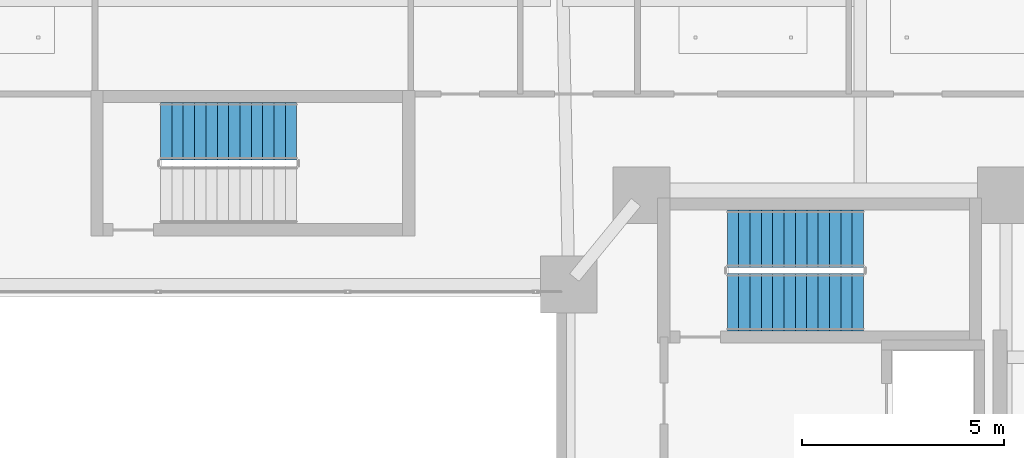
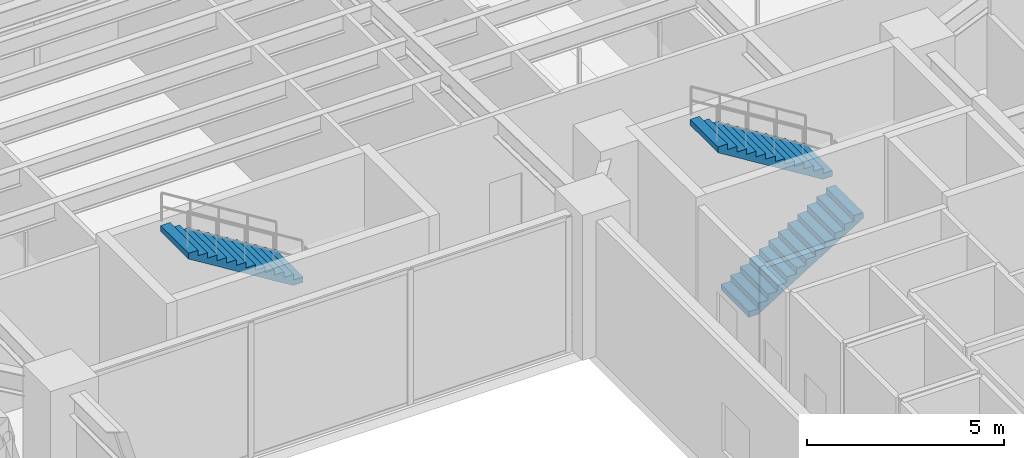
# One storey, part 33 of 39: 3 stair flights, 2 elements without a shape of their own.
"""IFC4 building model written with IfcOpenShell, lengths in metres."""

from ifc_helpers import new_model, si_unit, direction, frame, origin, place, context, subcontext, project, spatial, polyline, outline, extrude, material, type_object, element, aggregate, save


model = new_model("IFC4")

# Units and contexts
model_context = context("Model", 3, precision=1e-05, world=origin(), true_north=direction((0.0, 1.0)))
body_context = subcontext(model_context, "Body", "Model", "MODEL_VIEW")
ifc_project = project(units=[si_unit("LENGTHUNIT", "METRE"), si_unit("AREAUNIT", "SQUARE_METRE"), si_unit("VOLUMEUNIT", "CUBIC_METRE"), si_unit("PLANEANGLEUNIT", "RADIAN"), si_unit("MASSUNIT", "GRAM", prefix="KILO")], contexts=[model_context])

# Site, building, storey
site_placement = place(None, origin())
site = spatial("IfcSite", under=ifc_project, at=site_placement, CompositionType="ELEMENT")
building_placement = place(site_placement, origin())
building = spatial("IfcBuilding", under=site, at=building_placement, Name="Tarnavaz Court Tower", CompositionType="ELEMENT")
storey_placement = place(building_placement, frame((0.0, 0.0, 68.699951171875)))
storey = spatial("IfcBuildingStorey", under=building, at=storey_placement, Name="L18", CompositionType="ELEMENT", Elevation=68.699951171875)

# Stair, stair flights
ifc_material = material(Name="Concrete C40/50", Category="concrete")
stair_type = type_object("IfcStairType", Name="ST-TWR-26R", PredefinedType="HALF_TURN_STAIR", material=ifc_material)
stair_1_placement = place(storey_placement, origin())
stair_1 = element("IfcStair", 1, at=stair_1_placement, inside=storey, type_object=stair_type, Name="L18 East Core Pressurized Exit Stair ST-E1", PredefinedType="HALF_TURN_STAIR")
stair_flight_type = type_object("IfcStairFlightType", Name="SFL-RC-26R", PredefinedType="STRAIGHT", material=ifc_material)
stair_flight_1_placement = place(storey_placement, frame((11.719970703125, 7.360107421875, 0.0), z_axis=(0.0, 0.0, 1.0), x_axis=(1.0, 0.0, 0.0)))
stair_flight_1 = element("IfcStairFlight", 2, at=stair_flight_1_placement, type_object=stair_flight_type, Name="ST-E1 flight 1", NumberOfRisers=13, NumberOfTreads=12, PredefinedType="STRAIGHT", RiserHeight=0.173076923, TreadLength=0.28, context=body_context, shape_type="SweptSolid", body=[
    extrude(outline(polyline([(0.0, 0.0), (0.0, 0.173095703125), (0.280029296875, 0.173095703125), (0.280029296875, 0.34619140625), (0.56005859375, 0.34619140625), (0.56005859375, 0.519287109375), (0.840087890625, 0.519287109375), (0.840087890625, 0.6923828125), (1.1201171875, 0.6923828125), (1.1201171875, 0.865478515625), (1.39990234375, 0.865478515625), (1.39990234375, 1.03857421875), (1.679931640625, 1.03857421875), (1.679931640625, 1.21142578125), (1.9599609375, 1.21142578125), (1.9599609375, 1.384521484375), (2.239990234375, 1.384521484375), (2.239990234375, 1.5576171875), (2.52001953125, 1.5576171875), (2.52001953125, 1.730712890625), (2.800048828125, 1.730712890625), (2.800048828125, 1.90380859375), (3.080078125, 1.90380859375), (3.080078125, 2.076904296875), (3.360107421875, 2.076904296875), (3.360107421875, 2.25), (3.360107421875, 1.900634765625), (0.28515625, 0.0), (0.0, 0.0)])), frame((0.0, 0.7099609375, 0.0), z_axis=(0.0, -1.0, 0.0), x_axis=(1.0, 0.0, 0.0)), (0.0, 0.0, 1.0), 1.419921875),
])
stair_flight_2_placement = place(storey_placement, frame((15.080078125, 8.929931640625, 2.25), z_axis=(0.0, 0.0, 1.0), x_axis=(-1.0, 0.0, 0.0)))
stair_flight_2 = element("IfcStairFlight", 3, at=stair_flight_2_placement, type_object=stair_flight_type, Name="ST-E1 flight 2", NumberOfRisers=13, NumberOfTreads=12, PredefinedType="STRAIGHT", RiserHeight=0.173076923, TreadLength=0.28, context=body_context, shape_type="SweptSolid", body=[
    extrude(outline(polyline([(0.0, 0.0), (0.0, 0.173095703125), (0.280029296875, 0.173095703125), (0.280029296875, 0.34619140625), (0.56005859375, 0.34619140625), (0.56005859375, 0.519287109375), (0.840087890625, 0.519287109375), (0.840087890625, 0.6923828125), (1.1201171875, 0.6923828125), (1.1201171875, 0.865478515625), (1.39990234375, 0.865478515625), (1.39990234375, 1.03857421875), (1.679931640625, 1.03857421875), (1.679931640625, 1.21142578125), (1.9599609375, 1.21142578125), (1.9599609375, 1.384521484375), (2.239990234375, 1.384521484375), (2.239990234375, 1.5576171875), (2.52001953125, 1.5576171875), (2.52001953125, 1.730712890625), (2.800048828125, 1.730712890625), (2.800048828125, 1.90380859375), (3.080078125, 1.90380859375), (3.080078125, 2.076904296875), (3.360107421875, 2.076904296875), (3.360107421875, 2.25), (3.360107421875, 1.900634765625), (0.28515625, 0.0), (0.0, 0.0)])), frame((0.0, 0.7099609375, 0.0), z_axis=(0.0, -1.0, 0.0), x_axis=(1.0, 0.0, 0.0)), (0.0, 0.0, 1.0), 1.419921875),
])
aggregate(stair_1, [stair_flight_1, stair_flight_2])

# Stair, stair flight
stair_2_placement = place(storey_placement, origin())
stair_2 = element("IfcStair", 4, at=stair_2_placement, inside=storey, type_object=stair_type, Name="L18 North Ring Pressurized Exit Stair ST-N1", PredefinedType="HALF_TURN_STAIR")
stair_flight_3_placement = place(storey_placement, frame((1.080078125, 11.580078125, 2.25), z_axis=(0.0, 0.0, 1.0), x_axis=(-1.0, 0.0, 0.0)))
stair_flight_3 = element("IfcStairFlight", 5, at=stair_flight_3_placement, type_object=stair_flight_type, Name="ST-N1 flight 2", NumberOfRisers=13, NumberOfTreads=12, PredefinedType="STRAIGHT", RiserHeight=0.173076923, TreadLength=0.28, context=body_context, shape_type="SweptSolid", body=[
    extrude(outline(polyline([(0.0, 0.0), (0.0, 0.173095703125), (0.280029296875, 0.173095703125), (0.280029296875, 0.34619140625), (0.56005859375, 0.34619140625), (0.56005859375, 0.519287109375), (0.840087890625, 0.519287109375), (0.840087890625, 0.6923828125), (1.1201171875, 0.6923828125), (1.1201171875, 0.865478515625), (1.39990234375, 0.865478515625), (1.39990234375, 1.03857421875), (1.679931640625, 1.03857421875), (1.679931640625, 1.21142578125), (1.9599609375, 1.21142578125), (1.9599609375, 1.384521484375), (2.239990234375, 1.384521484375), (2.239990234375, 1.5576171875), (2.52001953125, 1.5576171875), (2.52001953125, 1.730712890625), (2.800048828125, 1.730712890625), (2.800048828125, 1.90380859375), (3.080078125, 1.90380859375), (3.080078125, 2.076904296875), (3.360107421875, 2.076904296875), (3.360107421875, 2.25), (3.360107421875, 1.900634765625), (0.28515625, 0.0), (0.0, 0.0)])), frame((0.0, 0.7099609375, 0.0), z_axis=(0.0, -1.0, 0.0), x_axis=(1.0, 0.0, 0.0)), (0.0, 0.0, 1.0), 1.419921875),
])
aggregate(stair_2, [stair_flight_3])

save(model, "model.ifc")
